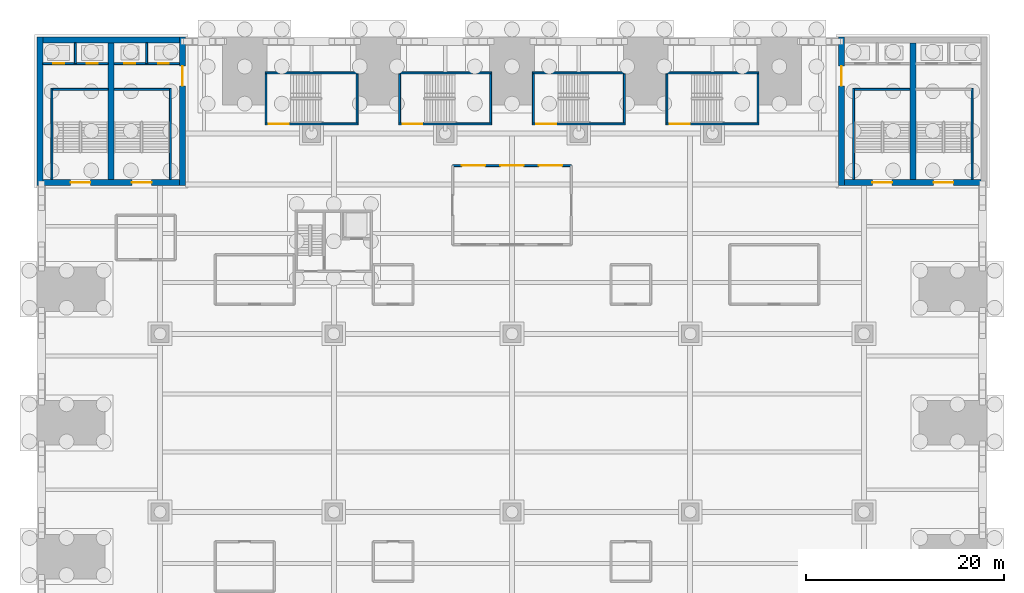
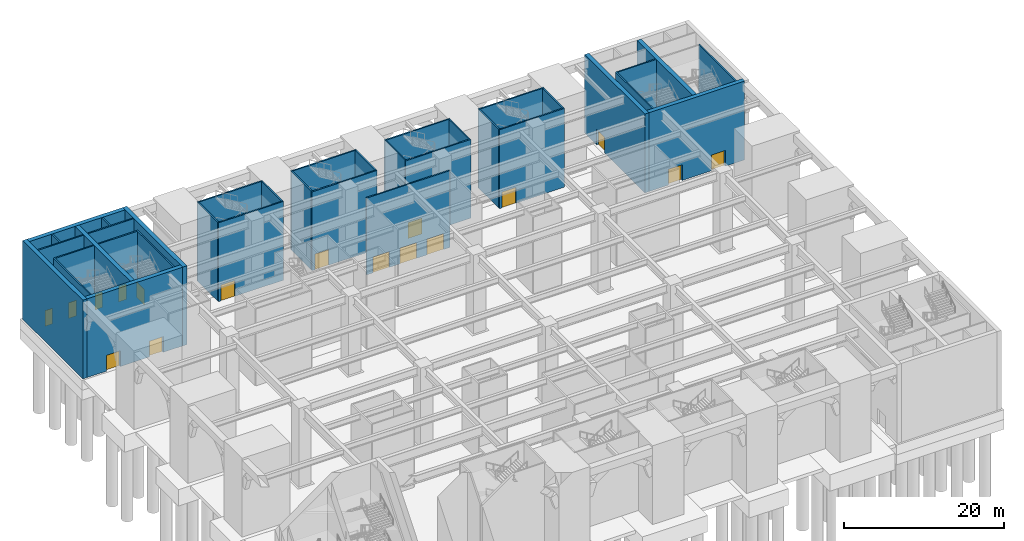
# One storey, part 10 of 34: 36 walls, 17 doors, 17 openings.
"""IFC4 building model written with IfcOpenShell, lengths in metres."""

from ifc_helpers import new_model, si_unit, direction, frame, frame_2d, origin, place, context, subcontext, project, spatial, rectangle, extrude, material, layer, layer_set, type_object, element, fill, save


model = new_model("IFC4")

# Units and contexts
model_context = context("Model", 3, precision=1e-05, world=origin(), true_north=direction((0.0, 1.0)))
body_context = subcontext(model_context, "Body", "Model", "MODEL_VIEW")
ifc_project = project(units=[si_unit("LENGTHUNIT", "METRE"), si_unit("AREAUNIT", "SQUARE_METRE"), si_unit("VOLUMEUNIT", "CUBIC_METRE"), si_unit("PLANEANGLEUNIT", "RADIAN"), si_unit("MASSUNIT", "GRAM", prefix="KILO")], contexts=[model_context])

# Site, building, storey
site_placement = place(None, origin())
site = spatial("IfcSite", under=ifc_project, at=site_placement, CompositionType="ELEMENT")
building_placement = place(site_placement, origin())
building = spatial("IfcBuilding", under=site, at=building_placement, Name="Corbelhall Arena Tower", CompositionType="ELEMENT")
storey_placement = place(building_placement, origin())
storey = spatial("IfcBuildingStorey", under=building, at=storey_placement, Name="L00", CompositionType="ELEMENT", Elevation=0.0)

# Wall, openings, doors
ifc_material_1 = material(Name="Gypsum board on steel studs", Category="steel")
ifc_layer_1 = layer(ifc_material_1, 0.199951171875)
ifc_layer_set_1 = layer_set([ifc_layer_1], Name="AR-ROOM-WALL")
wall_type_1 = type_object("IfcWallType", Name="AR-ROOM-WALL", PredefinedType="PARTITIONING", material=ifc_layer_set_1)
wall_1_placement = place(storey_placement, frame((6.0, 26.0, 0.0), z_axis=(0.0, 0.0, 1.0), x_axis=(-1.0, 0.0, 0.0)))
wall_1 = element("IfcWall", 1, at=wall_1_placement, inside=storey, type_object=wall_type_1, Name="Arena entrance lobby wall", PredefinedType="PARTITIONING", context=body_context, shape_type="SweptSolid", body=[
    extrude(rectangle(XDim=12.0, YDim=0.199951171875, at=frame_2d((6.0, 0.0))), origin(), (0.0, 0.0, 1.0), 11.699951171875),
])
opening_1_placement = place(wall_1_placement, frame((0.89990234375, 0.0, 0.0)))
opening_1 = element("IfcOpeningElement", 2, at=opening_1_placement, cuts=wall_1, Name="Opening DA0328", PredefinedType="OPENING", context=body_context, shape_type="SweptSolid", body=[
    extrude(rectangle(XDim=2.39990234375, YDim=2.39990234375, at=frame_2d((1.199951171875, 1.199951171875))), frame((0.0, 0.10009765625, 0.0), z_axis=(0.0, -1.0, 0.0), x_axis=(1.0, 0.0, 0.0)), (0.0, 0.0, 1.0), 0.199951171875),
])
opening_2_placement = place(wall_1_placement, frame((4.800048828125, 0.0, 0.0)))
opening_2 = element("IfcOpeningElement", 3, at=opening_2_placement, cuts=wall_1, Name="Opening DA0329", PredefinedType="OPENING", context=body_context, shape_type="SweptSolid", body=[
    extrude(rectangle(XDim=2.39990234375, YDim=2.39990234375, at=frame_2d((1.199951171875, 1.199951171875))), frame((0.0, 0.10009765625, 0.0), z_axis=(0.0, -1.0, 0.0), x_axis=(1.0, 0.0, 0.0)), (0.0, 0.0, 1.0), 0.199951171875),
])
opening_3_placement = place(wall_1_placement, frame((8.699951171875, 0.0, 0.0)))
opening_3 = element("IfcOpeningElement", 4, at=opening_3_placement, cuts=wall_1, Name="Opening DA0330", PredefinedType="OPENING", context=body_context, shape_type="SweptSolid", body=[
    extrude(rectangle(XDim=2.39990234375, YDim=2.39990234375, at=frame_2d((1.199951171875, 1.199951171875))), frame((0.0, 0.10009765625, 0.0), z_axis=(0.0, -1.0, 0.0), x_axis=(1.0, 0.0, 0.0)), (0.0, 0.0, 1.0), 0.199951171875),
])
ifc_material_2 = material(Name="Steel and glass", Category="steel")
door_type_1 = type_object("IfcDoorType", Name="AR-ENTRANCE-DOOR", OperationType="DOUBLE_DOOR_SINGLE_SWING", PredefinedType="DOOR", material=ifc_material_2)
door_1_placement = place(opening_1_placement, frame((2.39990234375, 0.0, 0.0), z_axis=(0.0, 0.0, 1.0), x_axis=(-1.0, 0.0, 0.0)))
door_1 = element("IfcDoor", 5, at=door_1_placement, inside=storey, type_object=door_type_1, Name="Arena entrance lobby entrance door", OperationType="DOUBLE_DOOR_SINGLE_SWING", OverallHeight=2.39990234375, OverallWidth=2.39990234375, PredefinedType="DOOR", context=body_context, shape_type="SweptSolid", body=[
    extrude(rectangle(XDim=2.39990234375, YDim=2.39990234375, at=frame_2d((1.199951171875, 1.199951171875))), frame((0.0, 0.02490234375, 0.0), z_axis=(0.0, -1.0, 0.0), x_axis=(1.0, 0.0, 0.0)), (0.0, 0.0, 1.0), 0.050048828125),
])
fill(opening_1, door_1)
door_2_placement = place(opening_2_placement, frame((2.39990234375, 0.0, 0.0), z_axis=(0.0, 0.0, 1.0), x_axis=(-1.0, 0.0, 0.0)))
door_2 = element("IfcDoor", 6, at=door_2_placement, inside=storey, type_object=door_type_1, Name="Arena entrance lobby entrance door", OperationType="DOUBLE_DOOR_SINGLE_SWING", OverallHeight=2.39990234375, OverallWidth=2.39990234375, PredefinedType="DOOR", context=body_context, shape_type="SweptSolid", body=[
    extrude(rectangle(XDim=2.39990234375, YDim=2.39990234375, at=frame_2d((1.199951171875, 1.199951171875))), frame((0.0, 0.02490234375, 0.0), z_axis=(0.0, -1.0, 0.0), x_axis=(1.0, 0.0, 0.0)), (0.0, 0.0, 1.0), 0.050048828125),
])
fill(opening_2, door_2)
door_3_placement = place(opening_3_placement, frame((2.39990234375, 0.0, 0.0), z_axis=(0.0, 0.0, 1.0), x_axis=(-1.0, 0.0, 0.0)))
door_3 = element("IfcDoor", 7, at=door_3_placement, inside=storey, type_object=door_type_1, Name="Arena entrance lobby entrance door", OperationType="DOUBLE_DOOR_SINGLE_SWING", OverallHeight=2.39990234375, OverallWidth=2.39990234375, PredefinedType="DOOR", context=body_context, shape_type="SweptSolid", body=[
    extrude(rectangle(XDim=2.39990234375, YDim=2.39990234375, at=frame_2d((1.199951171875, 1.199951171875))), frame((0.0, 0.02490234375, 0.0), z_axis=(0.0, -1.0, 0.0), x_axis=(1.0, 0.0, 0.0)), (0.0, 0.0, 1.0), 0.050048828125),
])
fill(opening_3, door_3)

ifc_material_3 = material(Name="Reinforced concrete C40/50", Category="concrete")
ifc_layer_2 = layer(ifc_material_3, 0.199951171875)
ifc_layer_set_2 = layer_set([ifc_layer_2], Name="AR-SHAFT-WALL")
wall_type_2 = type_object("IfcWallType", Name="AR-SHAFT-WALL", PredefinedType="SHEAR", material=ifc_layer_set_2)
wall_2_placement = place(storey_placement, frame((-47.39990234375, 36.300048828125, 0.0), z_axis=(0.0, 0.0, 1.0), x_axis=(1.0, 0.0, 0.0)))
wall_2 = element("IfcWall", 8, at=wall_2_placement, inside=storey, type_object=wall_type_2, Name="Lift lobby wall NW", PredefinedType="SHEAR", context=body_context, shape_type="SweptSolid", body=[
    extrude(rectangle(XDim=6.599853515625, YDim=0.199951171875, at=frame_2d((3.2998046875, 0.0))), origin(), (0.0, 0.0, 1.0), 12.0),
])
opening_4_placement = place(wall_2_placement, frame((1.050048828125, 0.0, 0.0)))
opening_4 = element("IfcOpeningElement", 9, at=opening_4_placement, cuts=wall_2, Name="Opening LD0161", PredefinedType="OPENING", context=body_context, shape_type="SweptSolid", body=[
    extrude(rectangle(XDim=1.10009765625, YDim=2.39990234375, at=frame_2d((0.550048828125, 1.199951171875))), frame((0.0, 0.10009765625, 0.0), z_axis=(0.0, -1.0, 0.0), x_axis=(1.0, 0.0, 0.0)), (0.0, 0.0, 1.0), 0.199951171875),
])
opening_5_placement = place(wall_2_placement, frame((4.449951171875, 0.0, 0.0)))
opening_5 = element("IfcOpeningElement", 10, at=opening_5_placement, cuts=wall_2, Name="Opening LD0162", PredefinedType="OPENING", context=body_context, shape_type="SweptSolid", body=[
    extrude(rectangle(XDim=1.10009765625, YDim=2.39990234375, at=frame_2d((0.550048828125, 1.199951171875))), frame((0.0, 0.10009765625, 0.0), z_axis=(0.0, -1.0, 0.0), x_axis=(1.0, 0.0, 0.0)), (0.0, 0.0, 1.0), 0.199951171875),
])
ifc_material_4 = material(Name="Stainless steel A4", Category="steel")
door_type_2 = type_object("IfcDoorType", Name="AR-LANDING-DOOR", OperationType="DOUBLE_DOOR_SLIDING", PredefinedType="DOOR", material=ifc_material_4)
door_4_placement = place(opening_4_placement, origin())
door_4 = element("IfcDoor", 11, at=door_4_placement, inside=storey, type_object=door_type_2, Name="Landing door NW LF3 L00", OperationType="DOUBLE_DOOR_SLIDING", OverallHeight=2.39990234375, OverallWidth=1.10009765625, PredefinedType="DOOR", context=body_context, shape_type="SweptSolid", body=[
    extrude(rectangle(XDim=1.10009765625, YDim=2.39990234375, at=frame_2d((0.550048828125, 1.199951171875))), frame((0.0, 0.02490234375, 0.0), z_axis=(0.0, -1.0, 0.0), x_axis=(1.0, 0.0, 0.0)), (0.0, 0.0, 1.0), 0.050048828125),
])
fill(opening_4, door_4)
door_5_placement = place(opening_5_placement, origin())
door_5 = element("IfcDoor", 12, at=door_5_placement, inside=storey, type_object=door_type_2, Name="Landing door NW LF4 L00", OperationType="DOUBLE_DOOR_SLIDING", OverallHeight=2.39990234375, OverallWidth=1.10009765625, PredefinedType="DOOR", context=body_context, shape_type="SweptSolid", body=[
    extrude(rectangle(XDim=1.10009765625, YDim=2.39990234375, at=frame_2d((0.550048828125, 1.199951171875))), frame((0.0, 0.02490234375, 0.0), z_axis=(0.0, -1.0, 0.0), x_axis=(1.0, 0.0, 0.0)), (0.0, 0.0, 1.0), 0.050048828125),
])
fill(opening_5, door_5)

wall_3_placement = place(storey_placement, frame((-40.199951171875, 36.300048828125, 0.0), z_axis=(0.0, 0.0, 1.0), x_axis=(1.0, 0.0, 0.0)))
wall_3 = element("IfcWall", 13, at=wall_3_placement, inside=storey, type_object=wall_type_2, Name="Lift lobby wall NW", PredefinedType="SHEAR", context=body_context, shape_type="SweptSolid", body=[
    extrude(rectangle(XDim=6.599853515625, YDim=0.199951171875, at=frame_2d((3.2998046875, 0.0))), origin(), (0.0, 0.0, 1.0), 12.0),
])
opening_6_placement = place(wall_3_placement, frame((1.050048828125, 0.0, 0.0)))
opening_6 = element("IfcOpeningElement", 14, at=opening_6_placement, cuts=wall_3, Name="Opening LD0163", PredefinedType="OPENING", context=body_context, shape_type="SweptSolid", body=[
    extrude(rectangle(XDim=1.10009765625, YDim=2.39990234375, at=frame_2d((0.550048828125, 1.199951171875))), frame((0.0, 0.10009765625, 0.0), z_axis=(0.0, -1.0, 0.0), x_axis=(1.0, 0.0, 0.0)), (0.0, 0.0, 1.0), 0.199951171875),
])
opening_7_placement = place(wall_3_placement, frame((4.449951171875, 0.0, 0.0)))
opening_7 = element("IfcOpeningElement", 15, at=opening_7_placement, cuts=wall_3, Name="Opening LD0164", PredefinedType="OPENING", context=body_context, shape_type="SweptSolid", body=[
    extrude(rectangle(XDim=1.10009765625, YDim=2.39990234375, at=frame_2d((0.550048828125, 1.199951171875))), frame((0.0, 0.10009765625, 0.0), z_axis=(0.0, -1.0, 0.0), x_axis=(1.0, 0.0, 0.0)), (0.0, 0.0, 1.0), 0.199951171875),
])
door_6_placement = place(opening_6_placement, origin())
door_6 = element("IfcDoor", 16, at=door_6_placement, inside=storey, type_object=door_type_2, Name="Landing door NW LF1 L00", OperationType="DOUBLE_DOOR_SLIDING", OverallHeight=2.39990234375, OverallWidth=1.10009765625, PredefinedType="DOOR", context=body_context, shape_type="SweptSolid", body=[
    extrude(rectangle(XDim=1.10009765625, YDim=2.39990234375, at=frame_2d((0.550048828125, 1.199951171875))), frame((0.0, 0.02490234375, 0.0), z_axis=(0.0, -1.0, 0.0), x_axis=(1.0, 0.0, 0.0)), (0.0, 0.0, 1.0), 0.050048828125),
])
fill(opening_6, door_6)
door_7_placement = place(opening_7_placement, origin())
door_7 = element("IfcDoor", 17, at=door_7_placement, inside=storey, type_object=door_type_2, Name="Landing door NW LF2 L00", OperationType="DOUBLE_DOOR_SLIDING", OverallHeight=2.39990234375, OverallWidth=1.10009765625, PredefinedType="DOOR", context=body_context, shape_type="SweptSolid", body=[
    extrude(rectangle(XDim=1.10009765625, YDim=2.39990234375, at=frame_2d((0.550048828125, 1.199951171875))), frame((0.0, 0.02490234375, 0.0), z_axis=(0.0, -1.0, 0.0), x_axis=(1.0, 0.0, 0.0)), (0.0, 0.0, 1.0), 0.050048828125),
])
fill(opening_7, door_7)

# Walls
for number, where, z_axis, x_axis, name in (
    (18, (-36.89990234375, 36.300048828125, 0.0), (0.0, 0.0, 1.0), (0.0, 1.0, 0.0), "Shaft wall NW"),
    (19, (-44.10009765625, 36.300048828125, 0.0), (0.0, 0.0, 1.0), (0.0, 1.0, 0.0), "Shaft wall NW"),
):
    element("IfcWall", number, at=place(storey_placement, frame(where, z_axis=z_axis, x_axis=x_axis)), inside=storey, type_object=wall_type_2, Name=name, PredefinedType="SHEAR", context=body_context, shape_type="SweptSolid", body=[
        extrude(rectangle(XDim=2.099853515625, YDim=0.199951171875, at=frame_2d((1.0498046875, 0.0))), origin(), (0.0, 0.0, 1.0), 12.0),
    ])

# Wall, opening, door
ifc_layer_3 = layer(ifc_material_3, 0.199951171875)
ifc_layer_set_3 = layer_set([ifc_layer_3], Name="AR-STAIR-WALL")
wall_type_3 = type_object("IfcWallType", Name="AR-STAIR-WALL", PredefinedType="SOLIDWALL", material=ifc_layer_set_3)
wall_4_placement = place(storey_placement, frame((-15.550048828125, 30.199951171875, 0.0), z_axis=(0.0, 0.0, 1.0), x_axis=(-1.0, 0.0, 0.0)))
wall_4 = element("IfcWall", 20, at=wall_4_placement, inside=storey, type_object=wall_type_3, Name="Stair AS9 wall", PredefinedType="SOLIDWALL", context=body_context, shape_type="SweptSolid", body=[
    extrude(rectangle(XDim=9.39990234375, YDim=0.199951171875, at=frame_2d((4.699951171875, 0.0))), origin(), (0.0, 0.0, 1.0), 12.0),
])
opening_8_placement = place(wall_4_placement, frame((7.0, 0.0, 0.0)))
opening_8 = element("IfcOpeningElement", 21, at=opening_8_placement, cuts=wall_4, Name="Opening DA0001", PredefinedType="OPENING", context=body_context, shape_type="SweptSolid", body=[
    extrude(rectangle(XDim=2.0, YDim=2.39990234375, at=frame_2d((1.0, 1.199951171875))), frame((0.0, 0.10009765625, 0.0), z_axis=(0.0, -1.0, 0.0), x_axis=(1.0, 0.0, 0.0)), (0.0, 0.0, 1.0), 0.199951171875),
])
door_type_3 = type_object("IfcDoorType", Name="AR-EXIT-DOOR", OperationType="DOUBLE_DOOR_SINGLE_SWING", PredefinedType="DOOR", material=ifc_material_2)
door_8_placement = place(opening_8_placement, origin())
door_8 = element("IfcDoor", 22, at=door_8_placement, inside=storey, type_object=door_type_3, Name="Stair AS9 door", OperationType="DOUBLE_DOOR_SINGLE_SWING", OverallHeight=2.39990234375, OverallWidth=2.0, PredefinedType="DOOR", context=body_context, shape_type="SweptSolid", body=[
    extrude(rectangle(XDim=2.0, YDim=2.39990234375, at=frame_2d((1.0, 1.199951171875))), frame((0.0, 0.02490234375, 0.0), z_axis=(0.0, -1.0, 0.0), x_axis=(1.0, 0.0, 0.0)), (0.0, 0.0, 1.0), 0.050048828125),
])
fill(opening_8, door_8)

# Walls
wall_5_placement = place(storey_placement, frame((-24.949951171875, 35.35009765625, 0.0), z_axis=(0.0, 0.0, 1.0), x_axis=(1.0, 0.0, 0.0)))
element("IfcWall", 23, at=wall_5_placement, inside=storey, type_object=wall_type_3, Name="Stair AS9 wall", PredefinedType="SOLIDWALL", context=body_context, shape_type="SweptSolid", body=[
    extrude(rectangle(XDim=9.39990234375, YDim=0.199951171875, at=frame_2d((4.699951171875, 0.0))), origin(), (0.0, 0.0, 1.0), 12.0),
])
for number, where, z_axis, x_axis, name in (
    (24, (-24.85009765625, 30.300048828125, 0.0), (0.0, 0.0, 1.0), (0.0, 1.0, 0.0), "Stair AS9 wall"),
    (25, (-15.64990234375, 30.300048828125, 0.0), (0.0, 0.0, 1.0), (0.0, 1.0, 0.0), "Stair AS9 wall"),
):
    element("IfcWall", number, at=place(storey_placement, frame(where, z_axis=z_axis, x_axis=x_axis)), inside=storey, type_object=wall_type_3, Name=name, PredefinedType="SOLIDWALL", context=body_context, shape_type="SweptSolid", body=[
        extrude(rectangle(XDim=4.949951171875, YDim=0.199951171875, at=frame_2d((2.47509765625, 0.0))), origin(), (0.0, 0.0, 1.0), 12.0),
    ])

# Wall, opening, door
wall_6_placement = place(storey_placement, frame((-2.050048828125, 30.199951171875, 0.0), z_axis=(0.0, 0.0, 1.0), x_axis=(-1.0, 0.0, 0.0)))
wall_6 = element("IfcWall", 26, at=wall_6_placement, inside=storey, type_object=wall_type_3, Name="Stair AS10 wall", PredefinedType="SOLIDWALL", context=body_context, shape_type="SweptSolid", body=[
    extrude(rectangle(XDim=9.39990234375, YDim=0.199951171875, at=frame_2d((4.699951171875, 0.0))), origin(), (0.0, 0.0, 1.0), 12.0),
])
opening_9_placement = place(wall_6_placement, frame((7.0, 0.0, 0.0)))
opening_9 = element("IfcOpeningElement", 27, at=opening_9_placement, cuts=wall_6, Name="Opening DA0007", PredefinedType="OPENING", context=body_context, shape_type="SweptSolid", body=[
    extrude(rectangle(XDim=2.0, YDim=2.39990234375, at=frame_2d((1.0, 1.199951171875))), frame((0.0, 0.10009765625, 0.0), z_axis=(0.0, -1.0, 0.0), x_axis=(1.0, 0.0, 0.0)), (0.0, 0.0, 1.0), 0.199951171875),
])
door_9_placement = place(opening_9_placement, origin())
door_9 = element("IfcDoor", 28, at=door_9_placement, inside=storey, type_object=door_type_3, Name="Stair AS10 door", OperationType="DOUBLE_DOOR_SINGLE_SWING", OverallHeight=2.39990234375, OverallWidth=2.0, PredefinedType="DOOR", context=body_context, shape_type="SweptSolid", body=[
    extrude(rectangle(XDim=2.0, YDim=2.39990234375, at=frame_2d((1.0, 1.199951171875))), frame((0.0, 0.02490234375, 0.0), z_axis=(0.0, -1.0, 0.0), x_axis=(1.0, 0.0, 0.0)), (0.0, 0.0, 1.0), 0.050048828125),
])
fill(opening_9, door_9)

# Walls
wall_7_placement = place(storey_placement, frame((-11.449951171875, 35.35009765625, 0.0), z_axis=(0.0, 0.0, 1.0), x_axis=(1.0, 0.0, 0.0)))
element("IfcWall", 29, at=wall_7_placement, inside=storey, type_object=wall_type_3, Name="Stair AS10 wall", PredefinedType="SOLIDWALL", context=body_context, shape_type="SweptSolid", body=[
    extrude(rectangle(XDim=9.39990234375, YDim=0.199951171875, at=frame_2d((4.699951171875, 0.0))), origin(), (0.0, 0.0, 1.0), 12.0),
])
for number, where, z_axis, x_axis, name in (
    (30, (-11.35009765625, 30.300048828125, 0.0), (0.0, 0.0, 1.0), (0.0, 1.0, 0.0), "Stair AS10 wall"),
    (31, (-2.14990234375, 30.300048828125, 0.0), (0.0, 0.0, 1.0), (0.0, 1.0, 0.0), "Stair AS10 wall"),
):
    element("IfcWall", number, at=place(storey_placement, frame(where, z_axis=z_axis, x_axis=x_axis)), inside=storey, type_object=wall_type_3, Name=name, PredefinedType="SOLIDWALL", context=body_context, shape_type="SweptSolid", body=[
        extrude(rectangle(XDim=4.949951171875, YDim=0.199951171875, at=frame_2d((2.47509765625, 0.0))), origin(), (0.0, 0.0, 1.0), 12.0),
    ])

# Wall, opening, door
wall_8_placement = place(storey_placement, frame((11.449951171875, 30.199951171875, 0.0), z_axis=(0.0, 0.0, 1.0), x_axis=(-1.0, 0.0, 0.0)))
wall_8 = element("IfcWall", 32, at=wall_8_placement, inside=storey, type_object=wall_type_3, Name="Stair AS11 wall", PredefinedType="SOLIDWALL", context=body_context, shape_type="SweptSolid", body=[
    extrude(rectangle(XDim=9.39990234375, YDim=0.199951171875, at=frame_2d((4.699951171875, 0.0))), origin(), (0.0, 0.0, 1.0), 12.0),
])
opening_10_placement = place(wall_8_placement, frame((7.0, 0.0, 0.0)))
opening_10 = element("IfcOpeningElement", 33, at=opening_10_placement, cuts=wall_8, Name="Opening DA0013", PredefinedType="OPENING", context=body_context, shape_type="SweptSolid", body=[
    extrude(rectangle(XDim=2.0, YDim=2.39990234375, at=frame_2d((1.0, 1.199951171875))), frame((0.0, 0.10009765625, 0.0), z_axis=(0.0, -1.0, 0.0), x_axis=(1.0, 0.0, 0.0)), (0.0, 0.0, 1.0), 0.199951171875),
])
door_10_placement = place(opening_10_placement, origin())
door_10 = element("IfcDoor", 34, at=door_10_placement, inside=storey, type_object=door_type_3, Name="Stair AS11 door", OperationType="DOUBLE_DOOR_SINGLE_SWING", OverallHeight=2.39990234375, OverallWidth=2.0, PredefinedType="DOOR", context=body_context, shape_type="SweptSolid", body=[
    extrude(rectangle(XDim=2.0, YDim=2.39990234375, at=frame_2d((1.0, 1.199951171875))), frame((0.0, 0.02490234375, 0.0), z_axis=(0.0, -1.0, 0.0), x_axis=(1.0, 0.0, 0.0)), (0.0, 0.0, 1.0), 0.050048828125),
])
fill(opening_10, door_10)

# Walls
wall_9_placement = place(storey_placement, frame((2.050048828125, 35.35009765625, 0.0), z_axis=(0.0, 0.0, 1.0), x_axis=(1.0, 0.0, 0.0)))
element("IfcWall", 35, at=wall_9_placement, inside=storey, type_object=wall_type_3, Name="Stair AS11 wall", PredefinedType="SOLIDWALL", context=body_context, shape_type="SweptSolid", body=[
    extrude(rectangle(XDim=9.39990234375, YDim=0.199951171875, at=frame_2d((4.699951171875, 0.0))), origin(), (0.0, 0.0, 1.0), 12.0),
])
for number, where, z_axis, x_axis, name in (
    (36, (2.14990234375, 30.300048828125, 0.0), (0.0, 0.0, 1.0), (0.0, 1.0, 0.0), "Stair AS11 wall"),
    (37, (11.35009765625, 30.300048828125, 0.0), (0.0, 0.0, 1.0), (0.0, 1.0, 0.0), "Stair AS11 wall"),
):
    element("IfcWall", number, at=place(storey_placement, frame(where, z_axis=z_axis, x_axis=x_axis)), inside=storey, type_object=wall_type_3, Name=name, PredefinedType="SOLIDWALL", context=body_context, shape_type="SweptSolid", body=[
        extrude(rectangle(XDim=4.949951171875, YDim=0.199951171875, at=frame_2d((2.47509765625, 0.0))), origin(), (0.0, 0.0, 1.0), 12.0),
    ])

# Wall, opening, door
wall_10_placement = place(storey_placement, frame((24.949951171875, 30.199951171875, 0.0), z_axis=(0.0, 0.0, 1.0), x_axis=(-1.0, 0.0, 0.0)))
wall_10 = element("IfcWall", 38, at=wall_10_placement, inside=storey, type_object=wall_type_3, Name="Stair AS12 wall", PredefinedType="SOLIDWALL", context=body_context, shape_type="SweptSolid", body=[
    extrude(rectangle(XDim=9.39990234375, YDim=0.199951171875, at=frame_2d((4.699951171875, 0.0))), origin(), (0.0, 0.0, 1.0), 12.0),
])
opening_11_placement = place(wall_10_placement, frame((7.0, 0.0, 0.0)))
opening_11 = element("IfcOpeningElement", 39, at=opening_11_placement, cuts=wall_10, Name="Opening DA0019", PredefinedType="OPENING", context=body_context, shape_type="SweptSolid", body=[
    extrude(rectangle(XDim=2.0, YDim=2.39990234375, at=frame_2d((1.0, 1.199951171875))), frame((0.0, 0.10009765625, 0.0), z_axis=(0.0, -1.0, 0.0), x_axis=(1.0, 0.0, 0.0)), (0.0, 0.0, 1.0), 0.199951171875),
])
door_11_placement = place(opening_11_placement, origin())
door_11 = element("IfcDoor", 40, at=door_11_placement, inside=storey, type_object=door_type_3, Name="Stair AS12 door", OperationType="DOUBLE_DOOR_SINGLE_SWING", OverallHeight=2.39990234375, OverallWidth=2.0, PredefinedType="DOOR", context=body_context, shape_type="SweptSolid", body=[
    extrude(rectangle(XDim=2.0, YDim=2.39990234375, at=frame_2d((1.0, 1.199951171875))), frame((0.0, 0.02490234375, 0.0), z_axis=(0.0, -1.0, 0.0), x_axis=(1.0, 0.0, 0.0)), (0.0, 0.0, 1.0), 0.050048828125),
])
fill(opening_11, door_11)

# Walls
wall_11_placement = place(storey_placement, frame((15.550048828125, 35.35009765625, 0.0), z_axis=(0.0, 0.0, 1.0), x_axis=(1.0, 0.0, 0.0)))
element("IfcWall", 41, at=wall_11_placement, inside=storey, type_object=wall_type_3, Name="Stair AS12 wall", PredefinedType="SOLIDWALL", context=body_context, shape_type="SweptSolid", body=[
    extrude(rectangle(XDim=9.39990234375, YDim=0.199951171875, at=frame_2d((4.699951171875, 0.0))), origin(), (0.0, 0.0, 1.0), 12.0),
])
for number, where, z_axis, x_axis, name in (
    (42, (15.64990234375, 30.300048828125, 0.0), (0.0, 0.0, 1.0), (0.0, 1.0, 0.0), "Stair AS12 wall"),
    (43, (24.85009765625, 30.300048828125, 0.0), (0.0, 0.0, 1.0), (0.0, 1.0, 0.0), "Stair AS12 wall"),
):
    element("IfcWall", number, at=place(storey_placement, frame(where, z_axis=z_axis, x_axis=x_axis)), inside=storey, type_object=wall_type_3, Name=name, PredefinedType="SOLIDWALL", context=body_context, shape_type="SweptSolid", body=[
        extrude(rectangle(XDim=4.949951171875, YDim=0.199951171875, at=frame_2d((2.47509765625, 0.0))), origin(), (0.0, 0.0, 1.0), 12.0),
    ])
wall_12_placement = place(storey_placement, frame((34.510009765625, 24.60009765625, 0.0), z_axis=(0.0, 0.0, 1.0), x_axis=(0.0, 1.0, 0.0)))
element("IfcWall", 44, at=wall_12_placement, inside=storey, type_object=wall_type_3, Name="Stair AS1 wall", PredefinedType="SOLIDWALL", context=body_context, shape_type="SweptSolid", body=[
    extrude(rectangle(XDim=9.199951171875, YDim=0.199951171875, at=frame_2d((4.60009765625, 0.0))), origin(), (0.0, 0.0, 1.0), 12.0),
])
wall_13_placement = place(storey_placement, frame((34.610107421875, 33.699951171875, 0.0), z_axis=(0.0, 0.0, 1.0), x_axis=(1.0, 0.0, 0.0)))
element("IfcWall", 45, at=wall_13_placement, inside=storey, type_object=wall_type_3, Name="Stair AS1 wall", PredefinedType="SOLIDWALL", context=body_context, shape_type="SweptSolid", body=[
    extrude(rectangle(XDim=5.58984375, YDim=0.199951171875, at=frame_2d((2.794921875, 0.0))), origin(), (0.0, 0.0, 1.0), 12.0),
])
for number, where, z_axis, x_axis, name in (
    (46, (46.489990234375, 24.60009765625, 0.0), (0.0, 0.0, 1.0), (0.0, 1.0, 0.0), "Stair AS2 wall"),
    (47, (-34.510009765625, 24.60009765625, 0.0), (0.0, 0.0, 1.0), (0.0, 1.0, 0.0), "Stair AS3 wall"),
):
    element("IfcWall", number, at=place(storey_placement, frame(where, z_axis=z_axis, x_axis=x_axis)), inside=storey, type_object=wall_type_3, Name=name, PredefinedType="SOLIDWALL", context=body_context, shape_type="SweptSolid", body=[
        extrude(rectangle(XDim=9.199951171875, YDim=0.199951171875, at=frame_2d((4.60009765625, 0.0))), origin(), (0.0, 0.0, 1.0), 12.0),
    ])
wall_14_placement = place(storey_placement, frame((-40.199951171875, 33.699951171875, 0.0), z_axis=(0.0, 0.0, 1.0), x_axis=(1.0, 0.0, 0.0)))
element("IfcWall", 48, at=wall_14_placement, inside=storey, type_object=wall_type_3, Name="Stair AS3 wall", PredefinedType="SOLIDWALL", context=body_context, shape_type="SweptSolid", body=[
    extrude(rectangle(XDim=5.58984375, YDim=0.199951171875, at=frame_2d((2.794921875, 0.0))), origin(), (0.0, 0.0, 1.0), 12.0),
])
wall_15_placement = place(storey_placement, frame((-46.489990234375, 24.60009765625, 0.0), z_axis=(0.0, 0.0, 1.0), x_axis=(0.0, 1.0, 0.0)))
element("IfcWall", 49, at=wall_15_placement, inside=storey, type_object=wall_type_3, Name="Stair AS4 wall", PredefinedType="SOLIDWALL", context=body_context, shape_type="SweptSolid", body=[
    extrude(rectangle(XDim=9.199951171875, YDim=0.199951171875, at=frame_2d((4.60009765625, 0.0))), origin(), (0.0, 0.0, 1.0), 12.0),
])
wall_16_placement = place(storey_placement, frame((-46.389892578125, 33.699951171875, 0.0), z_axis=(0.0, 0.0, 1.0), x_axis=(1.0, 0.0, 0.0)))
element("IfcWall", 50, at=wall_16_placement, inside=storey, type_object=wall_type_3, Name="Stair AS4 wall", PredefinedType="SOLIDWALL", context=body_context, shape_type="SweptSolid", body=[
    extrude(rectangle(XDim=5.58984375, YDim=0.199951171875, at=frame_2d((2.794921875, 0.0))), origin(), (0.0, 0.0, 1.0), 12.0),
])

# Wall, openings, doors
ifc_material_5 = material(Name="Concrete C80/95", Category="concrete")
ifc_layer_4 = layer(ifc_material_5, 0.60009765625)
ifc_layer_set_4 = layer_set([ifc_layer_4], Name="PO-CORE-WALL")
wall_type_4 = type_object("IfcWallType", Name="PO-CORE-WALL", PredefinedType="SHEAR", material=ifc_layer_set_4)
wall_17_placement = place(storey_placement, frame((33.60009765625, 24.300048828125, 0.0), z_axis=(0.0, 0.0, 1.0), x_axis=(1.0, 0.0, 0.0)))
wall_17 = element("IfcWall", 51, at=wall_17_placement, inside=storey, type_object=wall_type_4, Name="CORE NE WALL S L00", PredefinedType="SHEAR", context=body_context, shape_type="SweptSolid", body=[
    extrude(rectangle(XDim=13.7998046875, YDim=0.60009765625, at=frame_2d((6.89990234375, 0.0))), origin(), (0.0, 0.0, 1.0), 12.0),
])
opening_12_placement = place(wall_17_placement, frame((2.804931640625, 0.0, 0.0)))
opening_12 = element("IfcOpeningElement", 52, at=opening_12_placement, cuts=wall_17, Name="Opening DA0053", PredefinedType="OPENING", context=body_context, shape_type="SweptSolid", body=[
    extrude(rectangle(XDim=2.0, YDim=2.39990234375, at=frame_2d((1.0, 1.199951171875))), frame((0.0, 0.300048828125, 0.0), z_axis=(0.0, -1.0, 0.0), x_axis=(1.0, 0.0, 0.0)), (0.0, 0.0, 1.0), 0.60009765625),
])
opening_13_placement = place(wall_17_placement, frame((8.9951171875, 0.0, 0.0)))
opening_13 = element("IfcOpeningElement", 53, at=opening_13_placement, cuts=wall_17, Name="Opening DA0061", PredefinedType="OPENING", context=body_context, shape_type="SweptSolid", body=[
    extrude(rectangle(XDim=2.0, YDim=2.39990234375, at=frame_2d((1.0, 1.199951171875))), frame((0.0, 0.300048828125, 0.0), z_axis=(0.0, -1.0, 0.0), x_axis=(1.0, 0.0, 0.0)), (0.0, 0.0, 1.0), 0.60009765625),
])
door_12_placement = place(opening_12_placement, frame((2.0, 0.0, 0.0), z_axis=(0.0, 0.0, 1.0), x_axis=(-1.0, 0.0, 0.0)))
door_12 = element("IfcDoor", 54, at=door_12_placement, inside=storey, type_object=door_type_3, Name="Stair AS1 door", OperationType="DOUBLE_DOOR_SINGLE_SWING", OverallHeight=2.39990234375, OverallWidth=2.0, PredefinedType="DOOR", context=body_context, shape_type="SweptSolid", body=[
    extrude(rectangle(XDim=2.0, YDim=2.39990234375, at=frame_2d((1.0, 1.199951171875))), frame((0.0, 0.02490234375, 0.0), z_axis=(0.0, -1.0, 0.0), x_axis=(1.0, 0.0, 0.0)), (0.0, 0.0, 1.0), 0.050048828125),
])
fill(opening_12, door_12)
door_13_placement = place(opening_13_placement, frame((2.0, 0.0, 0.0), z_axis=(0.0, 0.0, 1.0), x_axis=(-1.0, 0.0, 0.0)))
door_13 = element("IfcDoor", 55, at=door_13_placement, inside=storey, type_object=door_type_3, Name="Stair AS2 door", OperationType="DOUBLE_DOOR_SINGLE_SWING", OverallHeight=2.39990234375, OverallWidth=2.0, PredefinedType="DOOR", context=body_context, shape_type="SweptSolid", body=[
    extrude(rectangle(XDim=2.0, YDim=2.39990234375, at=frame_2d((1.0, 1.199951171875))), frame((0.0, 0.02490234375, 0.0), z_axis=(0.0, -1.0, 0.0), x_axis=(1.0, 0.0, 0.0)), (0.0, 0.0, 1.0), 0.050048828125),
])
fill(opening_13, door_13)

# Wall, opening, door
wall_18_placement = place(storey_placement, frame((33.300048828125, 24.0, 0.0), z_axis=(0.0, 0.0, 1.0), x_axis=(0.0, 1.0, 0.0)))
wall_18 = element("IfcWall", 56, at=wall_18_placement, inside=storey, type_object=wall_type_4, Name="CORE NE WALL W L00", PredefinedType="SHEAR", context=body_context, shape_type="SweptSolid", body=[
    extrude(rectangle(XDim=15.0, YDim=0.60009765625, at=frame_2d((7.5, 0.0))), origin(), (0.0, 0.0, 1.0), 12.0),
])
opening_14_placement = place(wall_18_placement, frame((10.050048828125, 0.0, 0.0)))
opening_14 = element("IfcOpeningElement", 57, at=opening_14_placement, cuts=wall_18, Name="Opening DA0121", PredefinedType="OPENING", context=body_context, shape_type="SweptSolid", body=[
    extrude(rectangle(XDim=2.0, YDim=2.39990234375, at=frame_2d((1.0, 1.199951171875))), frame((0.0, 0.300048828125, 0.0), z_axis=(0.0, -1.0, 0.0), x_axis=(1.0, 0.0, 0.0)), (0.0, 0.0, 1.0), 0.60009765625),
])
door_type_4 = type_object("IfcDoorType", Name="AR-CORE-DOOR", OperationType="DOUBLE_DOOR_SINGLE_SWING", PredefinedType="DOOR", material=ifc_material_2)
door_14_placement = place(opening_14_placement, origin())
door_14 = element("IfcDoor", 58, at=door_14_placement, inside=storey, type_object=door_type_4, Name="Core lobby door NE L00", OperationType="DOUBLE_DOOR_SINGLE_SWING", OverallHeight=2.39990234375, OverallWidth=2.0, PredefinedType="DOOR", context=body_context, shape_type="SweptSolid", body=[
    extrude(rectangle(XDim=2.0, YDim=2.39990234375, at=frame_2d((1.0, 1.199951171875))), frame((0.0, 0.02490234375, 0.0), z_axis=(0.0, -1.0, 0.0), x_axis=(1.0, 0.0, 0.0)), (0.0, 0.0, 1.0), 0.050048828125),
])
fill(opening_14, door_14)

# Walls
for number, where, z_axis, x_axis, name in (
    (59, (40.5, 24.60009765625, 0.0), (0.0, 0.0, 1.0), (0.0, 1.0, 0.0), "CORE NE WALL D L00"),
    (60, (-47.39990234375, 38.699951171875, 0.0), (0.0, 0.0, 1.0), (1.0, 0.0, 0.0), "CORE NW WALL N L00"),
):
    element("IfcWall", number, at=place(storey_placement, frame(where, z_axis=z_axis, x_axis=x_axis)), inside=storey, type_object=wall_type_4, Name=name, PredefinedType="SHEAR", context=body_context, shape_type="SweptSolid", body=[
        extrude(rectangle(XDim=13.7998046875, YDim=0.60009765625, at=frame_2d((6.89990234375, 0.0))), origin(), (0.0, 0.0, 1.0), 12.0),
    ])

# Wall, openings, doors
wall_19_placement = place(storey_placement, frame((-47.39990234375, 24.300048828125, 0.0), z_axis=(0.0, 0.0, 1.0), x_axis=(1.0, 0.0, 0.0)))
wall_19 = element("IfcWall", 61, at=wall_19_placement, inside=storey, type_object=wall_type_4, Name="CORE NW WALL S L00", PredefinedType="SHEAR", context=body_context, shape_type="SweptSolid", body=[
    extrude(rectangle(XDim=13.7998046875, YDim=0.60009765625, at=frame_2d((6.89990234375, 0.0))), origin(), (0.0, 0.0, 1.0), 12.0),
])
opening_15_placement = place(wall_19_placement, frame((8.9951171875, 0.0, 0.0)))
opening_15 = element("IfcOpeningElement", 62, at=opening_15_placement, cuts=wall_19, Name="Opening DA0069", PredefinedType="OPENING", context=body_context, shape_type="SweptSolid", body=[
    extrude(rectangle(XDim=2.0, YDim=2.39990234375, at=frame_2d((1.0, 1.199951171875))), frame((0.0, 0.300048828125, 0.0), z_axis=(0.0, -1.0, 0.0), x_axis=(1.0, 0.0, 0.0)), (0.0, 0.0, 1.0), 0.60009765625),
])
opening_16_placement = place(wall_19_placement, frame((2.804931640625, 0.0, 0.0)))
opening_16 = element("IfcOpeningElement", 63, at=opening_16_placement, cuts=wall_19, Name="Opening DA0077", PredefinedType="OPENING", context=body_context, shape_type="SweptSolid", body=[
    extrude(rectangle(XDim=2.0, YDim=2.39990234375, at=frame_2d((1.0, 1.199951171875))), frame((0.0, 0.300048828125, 0.0), z_axis=(0.0, -1.0, 0.0), x_axis=(1.0, 0.0, 0.0)), (0.0, 0.0, 1.0), 0.60009765625),
])
door_15_placement = place(opening_15_placement, frame((2.0, 0.0, 0.0), z_axis=(0.0, 0.0, 1.0), x_axis=(-1.0, 0.0, 0.0)))
door_15 = element("IfcDoor", 64, at=door_15_placement, inside=storey, type_object=door_type_3, Name="Stair AS3 door", OperationType="DOUBLE_DOOR_SINGLE_SWING", OverallHeight=2.39990234375, OverallWidth=2.0, PredefinedType="DOOR", context=body_context, shape_type="SweptSolid", body=[
    extrude(rectangle(XDim=2.0, YDim=2.39990234375, at=frame_2d((1.0, 1.199951171875))), frame((0.0, 0.02490234375, 0.0), z_axis=(0.0, -1.0, 0.0), x_axis=(1.0, 0.0, 0.0)), (0.0, 0.0, 1.0), 0.050048828125),
])
fill(opening_15, door_15)
door_16_placement = place(opening_16_placement, frame((2.0, 0.0, 0.0), z_axis=(0.0, 0.0, 1.0), x_axis=(-1.0, 0.0, 0.0)))
door_16 = element("IfcDoor", 65, at=door_16_placement, inside=storey, type_object=door_type_3, Name="Stair AS4 door", OperationType="DOUBLE_DOOR_SINGLE_SWING", OverallHeight=2.39990234375, OverallWidth=2.0, PredefinedType="DOOR", context=body_context, shape_type="SweptSolid", body=[
    extrude(rectangle(XDim=2.0, YDim=2.39990234375, at=frame_2d((1.0, 1.199951171875))), frame((0.0, 0.02490234375, 0.0), z_axis=(0.0, -1.0, 0.0), x_axis=(1.0, 0.0, 0.0)), (0.0, 0.0, 1.0), 0.050048828125),
])
fill(opening_16, door_16)

# Wall
wall_20_placement = place(storey_placement, frame((-47.699951171875, 24.0, 0.0), z_axis=(0.0, 0.0, 1.0), x_axis=(0.0, 1.0, 0.0)))
element("IfcWall", 66, at=wall_20_placement, inside=storey, type_object=wall_type_4, Name="CORE NW WALL W L00", PredefinedType="SHEAR", context=body_context, shape_type="SweptSolid", body=[
    extrude(rectangle(XDim=15.0, YDim=0.60009765625, at=frame_2d((7.5, 0.0))), origin(), (0.0, 0.0, 1.0), 12.0),
])

# Wall, opening, door
wall_21_placement = place(storey_placement, frame((-33.300048828125, 24.0, 0.0), z_axis=(0.0, 0.0, 1.0), x_axis=(0.0, 1.0, 0.0)))
wall_21 = element("IfcWall", 67, at=wall_21_placement, inside=storey, type_object=wall_type_4, Name="CORE NW WALL E L00", PredefinedType="SHEAR", context=body_context, shape_type="SweptSolid", body=[
    extrude(rectangle(XDim=15.0, YDim=0.60009765625, at=frame_2d((7.5, 0.0))), origin(), (0.0, 0.0, 1.0), 12.0),
])
opening_17_placement = place(wall_21_placement, frame((10.050048828125, 0.0, 0.0)))
opening_17 = element("IfcOpeningElement", 68, at=opening_17_placement, cuts=wall_21, Name="Opening DA0165", PredefinedType="OPENING", context=body_context, shape_type="SweptSolid", body=[
    extrude(rectangle(XDim=2.0, YDim=2.39990234375, at=frame_2d((1.0, 1.199951171875))), frame((0.0, 0.300048828125, 0.0), z_axis=(0.0, -1.0, 0.0), x_axis=(1.0, 0.0, 0.0)), (0.0, 0.0, 1.0), 0.60009765625),
])
door_17_placement = place(opening_17_placement, origin())
door_17 = element("IfcDoor", 69, at=door_17_placement, inside=storey, type_object=door_type_4, Name="Core lobby door NW L00", OperationType="DOUBLE_DOOR_SINGLE_SWING", OverallHeight=2.39990234375, OverallWidth=2.0, PredefinedType="DOOR", context=body_context, shape_type="SweptSolid", body=[
    extrude(rectangle(XDim=2.0, YDim=2.39990234375, at=frame_2d((1.0, 1.199951171875))), frame((0.0, 0.02490234375, 0.0), z_axis=(0.0, -1.0, 0.0), x_axis=(1.0, 0.0, 0.0)), (0.0, 0.0, 1.0), 0.050048828125),
])
fill(opening_17, door_17)

# Wall
wall_22_placement = place(storey_placement, frame((-40.5, 24.60009765625, 0.0), z_axis=(0.0, 0.0, 1.0), x_axis=(0.0, 1.0, 0.0)))
element("IfcWall", 70, at=wall_22_placement, inside=storey, type_object=wall_type_4, Name="CORE NW WALL D L00", PredefinedType="SHEAR", context=body_context, shape_type="SweptSolid", body=[
    extrude(rectangle(XDim=13.7998046875, YDim=0.60009765625, at=frame_2d((6.89990234375, 0.0))), origin(), (0.0, 0.0, 1.0), 12.0),
])

save(model, "model.ifc")
